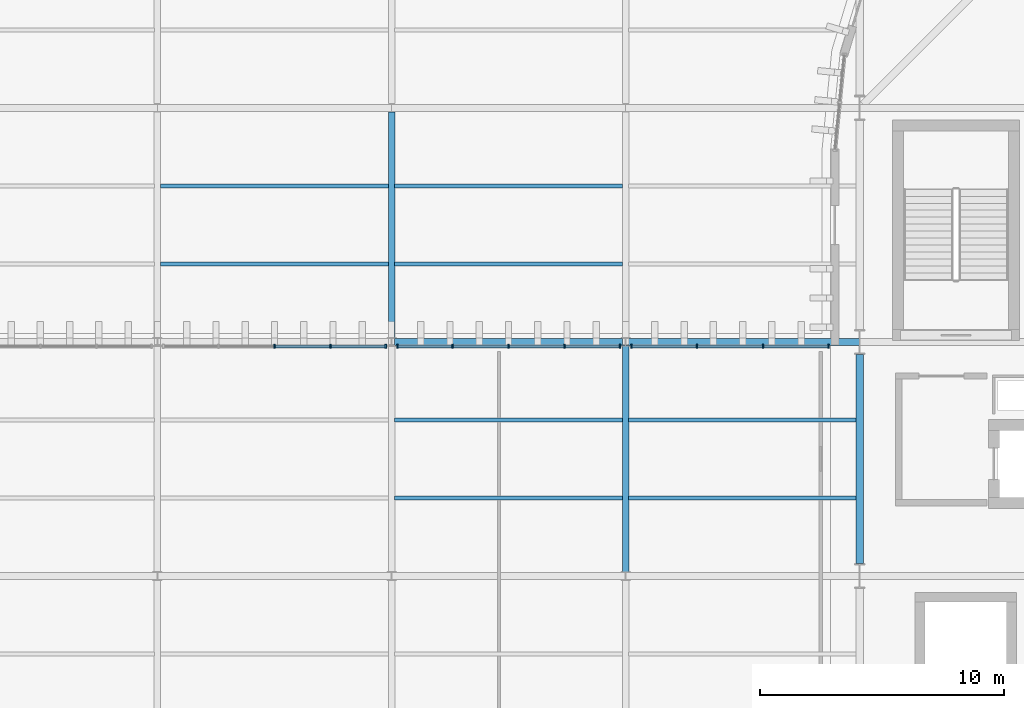
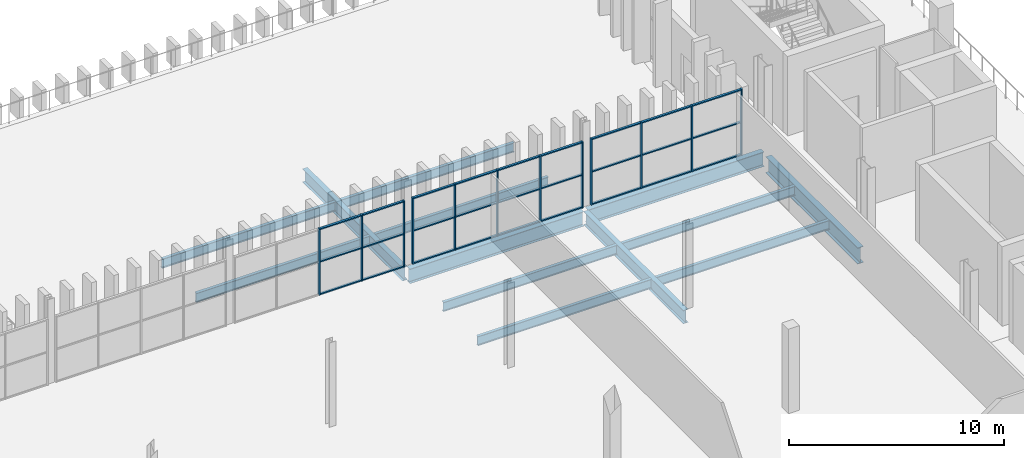
# One storey, part 28 of 99: 39 members, 13 beams, 3 elements without a shape of their own.
"""IFC4 building model written with IfcOpenShell, lengths in metres."""

from ifc_helpers import new_model, si_unit, direction, frame, origin, origin_2d, place, context, subcontext, project, spatial, rectangle, i_section, extrude, material, layer, layer_set, material_profile, profile_set, type_object, element, aggregate, save


model = new_model("IFC4")

# Units and contexts
model_context = context("Model", 3, precision=1e-05, world=origin(), true_north=direction((0.0, 1.0)))
body_context = subcontext(model_context, "Body", "Model", "MODEL_VIEW")
ifc_project = project(units=[si_unit("LENGTHUNIT", "METRE"), si_unit("AREAUNIT", "SQUARE_METRE"), si_unit("VOLUMEUNIT", "CUBIC_METRE"), si_unit("PLANEANGLEUNIT", "RADIAN"), si_unit("MASSUNIT", "GRAM", prefix="KILO")], contexts=[model_context])

# Site, building, storey
site_placement = place(None, origin())
site = spatial("IfcSite", under=ifc_project, at=site_placement, CompositionType="ELEMENT")
building_placement = place(site_placement, origin())
building = spatial("IfcBuilding", under=site, at=building_placement, Name="Caelomonte Colonnade Arena", CompositionType="ELEMENT")
storey_placement = place(building_placement, frame((0.0, 0.0, 4.800048828125)))
storey = spatial("IfcBuildingStorey", under=building, at=storey_placement, Name="L01", CompositionType="ELEMENT", Elevation=4.800048828125)

# Curtain wall, members
ifc_material_1 = material(Name="Bronze anodised aluminium and low-E glazing", Category="aluminium")
ifc_layer_1 = layer(ifc_material_1, 0.179931640625)
ifc_layer_set_1 = layer_set([ifc_layer_1], Name="Bronze anodised aluminium and low-E glazing")
curtain_wall_type_1 = type_object("IfcCurtainWallType", Name="ENV-CW-CW-L01-85-38", PredefinedType="USERDEFINED", material=ifc_layer_set_1)
curtain_wall_1_placement = place(storey_placement, origin())
curtain_wall_1 = element("IfcCurtainWall", 1, at=curtain_wall_1_placement, inside=storey, type_object=curtain_wall_type_1, Name="L01 unitized curtain wall CW-L01-0523-0862", ObjectType="UNITIZED CURTAIN WALL", PredefinedType="USERDEFINED")
ifc_material_2 = material(Name="Bronze anodised aluminium AA6063-T6", Category="aluminium")
ifc_material_profile_1 = material_profile(ifc_material_2, rectangle(XDim=0.06494140625, YDim=0.14990234375, at=origin_2d()), Name="CWM-65X150")
ifc_profile_set_1 = profile_set([ifc_material_profile_1], Name="Bronze anodised aluminium AA6063-T6")
member_type_1 = type_object("IfcMemberType", Name="ENV-CW-MULL2", PredefinedType="MULLION", material=ifc_profile_set_1)
member_1_placement = place(storey_placement, frame((56.327392578125, 86.219970703125, 0.0), z_axis=(0.0, 0.0, 1.0), x_axis=(-1.0, 0.0, 0.0)))
member_1 = element("IfcMember", 2, at=member_1_placement, type_object=member_type_1, Name="CW-L01-85-38 mullion 1", PredefinedType="MULLION", context=body_context, shape_type="SweptSolid", body=[
    extrude(rectangle(XDim=0.06494140625, YDim=0.14990234375, at=origin_2d()), origin(), (0.0, 0.0, 1.0), 3.758056640625),
])
member_2_placement = place(storey_placement, frame((53.641357421875, 86.219970703125, 0.0), z_axis=(0.0, 0.0, 1.0), x_axis=(-1.0, 0.0, 0.0)))
member_2 = element("IfcMember", 3, at=member_2_placement, type_object=member_type_1, Name="CW-L01-85-38 mullion 2", PredefinedType="MULLION", context=body_context, shape_type="SweptSolid", body=[
    extrude(rectangle(XDim=0.06494140625, YDim=0.14990234375, at=origin_2d()), origin(), (0.0, 0.0, 1.0), 3.758056640625),
])
member_3_placement = place(storey_placement, frame((50.9228515625, 86.219970703125, 0.0), z_axis=(0.0, 0.0, 1.0), x_axis=(-1.0, 0.0, 0.0)))
member_3 = element("IfcMember", 4, at=member_3_placement, type_object=member_type_1, Name="CW-L01-85-38 mullion 3", PredefinedType="MULLION", context=body_context, shape_type="SweptSolid", body=[
    extrude(rectangle(XDim=0.06494140625, YDim=0.14990234375, at=origin_2d()), origin(), (0.0, 0.0, 1.0), 3.758056640625),
])
member_4_placement = place(storey_placement, frame((48.23681640625, 86.219970703125, 0.0), z_axis=(0.0, 0.0, 1.0), x_axis=(-1.0, 0.0, 0.0)))
member_4 = element("IfcMember", 5, at=member_4_placement, type_object=member_type_1, Name="CW-L01-85-38 mullion 4", PredefinedType="MULLION", context=body_context, shape_type="SweptSolid", body=[
    extrude(rectangle(XDim=0.06494140625, YDim=0.14990234375, at=origin_2d()), origin(), (0.0, 0.0, 1.0), 3.758056640625),
])

ifc_layer_2 = layer(ifc_material_1, 0.179931640625)
ifc_layer_set_2 = layer_set([ifc_layer_2], Name="Bronze anodised aluminium and low-E glazing")
curtain_wall_type_2 = type_object("IfcCurtainWallType", Name="ENV-CW-CW-L01-96-38", PredefinedType="USERDEFINED", material=ifc_layer_set_2)
curtain_wall_2_placement = place(storey_placement, origin())
curtain_wall_2 = element("IfcCurtainWall", 6, at=curtain_wall_2_placement, inside=storey, type_object=curtain_wall_type_2, Name="L01 unitized curtain wall CW-L01-0432-0862", ObjectType="UNITIZED CURTAIN WALL", PredefinedType="USERDEFINED")
member_5_placement = place(storey_placement, frame((47.76318359375, 86.219970703125, 0.0), z_axis=(0.0, 0.0, 1.0), x_axis=(-1.0, 0.0, 0.0)))
member_5 = element("IfcMember", 7, at=member_5_placement, type_object=member_type_1, Name="CW-L01-96-38 mullion 1", PredefinedType="MULLION", context=body_context, shape_type="SweptSolid", body=[
    extrude(rectangle(XDim=0.06494140625, YDim=0.14990234375, at=origin_2d()), origin(), (0.0, 0.0, 1.0), 3.758056640625),
])
member_6_placement = place(storey_placement, frame((45.497802734375, 86.219970703125, 0.0), z_axis=(0.0, 0.0, 1.0), x_axis=(-1.0, 0.0, 0.0)))
member_6 = element("IfcMember", 8, at=member_6_placement, type_object=member_type_1, Name="CW-L01-96-38 mullion 2", PredefinedType="MULLION", context=body_context, shape_type="SweptSolid", body=[
    extrude(rectangle(XDim=0.06494140625, YDim=0.14990234375, at=origin_2d()), origin(), (0.0, 0.0, 1.0), 3.758056640625),
])
member_7_placement = place(storey_placement, frame((43.199951171875, 86.219970703125, 0.0), z_axis=(0.0, 0.0, 1.0), x_axis=(-1.0, 0.0, 0.0)))
member_7 = element("IfcMember", 9, at=member_7_placement, type_object=member_type_1, Name="CW-L01-96-38 mullion 3", PredefinedType="MULLION", context=body_context, shape_type="SweptSolid", body=[
    extrude(rectangle(XDim=0.06494140625, YDim=0.14990234375, at=origin_2d()), origin(), (0.0, 0.0, 1.0), 3.758056640625),
])
member_8_placement = place(storey_placement, frame((40.902099609375, 86.219970703125, 0.0), z_axis=(0.0, 0.0, 1.0), x_axis=(-1.0, 0.0, 0.0)))
member_8 = element("IfcMember", 10, at=member_8_placement, type_object=member_type_1, Name="CW-L01-96-38 mullion 4", PredefinedType="MULLION", context=body_context, shape_type="SweptSolid", body=[
    extrude(rectangle(XDim=0.06494140625, YDim=0.14990234375, at=origin_2d()), origin(), (0.0, 0.0, 1.0), 3.758056640625),
])
member_9_placement = place(storey_placement, frame((38.636962890625, 86.219970703125, 0.0), z_axis=(0.0, 0.0, 1.0), x_axis=(-1.0, 0.0, 0.0)))
member_9 = element("IfcMember", 11, at=member_9_placement, type_object=member_type_1, Name="CW-L01-96-38 mullion 5", PredefinedType="MULLION", context=body_context, shape_type="SweptSolid", body=[
    extrude(rectangle(XDim=0.06494140625, YDim=0.14990234375, at=origin_2d()), origin(), (0.0, 0.0, 1.0), 3.758056640625),
])

curtain_wall_3_placement = place(storey_placement, origin())
curtain_wall_3 = element("IfcCurtainWall", 12, at=curtain_wall_3_placement, inside=storey, type_object=curtain_wall_type_2, Name="L01 unitized curtain wall CW-L01-0336-0862", ObjectType="UNITIZED CURTAIN WALL", PredefinedType="USERDEFINED")
member_10_placement = place(storey_placement, frame((38.1630859375, 86.219970703125, 0.0), z_axis=(0.0, 0.0, 1.0), x_axis=(-1.0, 0.0, 0.0)))
member_10 = element("IfcMember", 13, at=member_10_placement, type_object=member_type_1, Name="CW-L01-96-38 mullion 1", PredefinedType="MULLION", context=body_context, shape_type="SweptSolid", body=[
    extrude(rectangle(XDim=0.06494140625, YDim=0.14990234375, at=origin_2d()), origin(), (0.0, 0.0, 1.0), 3.758056640625),
])
member_11_placement = place(storey_placement, frame((35.897705078125, 86.219970703125, 0.0), z_axis=(0.0, 0.0, 1.0), x_axis=(-1.0, 0.0, 0.0)))
member_11 = element("IfcMember", 14, at=member_11_placement, type_object=member_type_1, Name="CW-L01-96-38 mullion 2", PredefinedType="MULLION", context=body_context, shape_type="SweptSolid", body=[
    extrude(rectangle(XDim=0.06494140625, YDim=0.14990234375, at=origin_2d()), origin(), (0.0, 0.0, 1.0), 3.758056640625),
])
member_12_placement = place(storey_placement, frame((33.60009765625, 86.219970703125, 0.0), z_axis=(0.0, 0.0, 1.0), x_axis=(-1.0, 0.0, 0.0)))
member_12 = element("IfcMember", 15, at=member_12_placement, type_object=member_type_1, Name="CW-L01-96-38 mullion 3", PredefinedType="MULLION", context=body_context, shape_type="SweptSolid", body=[
    extrude(rectangle(XDim=0.06494140625, YDim=0.14990234375, at=origin_2d()), origin(), (0.0, 0.0, 1.0), 3.758056640625),
])

# Member
ifc_material_profile_2 = material_profile(ifc_material_2, rectangle(XDim=0.06494140625, YDim=0.1201171875, at=origin_2d()), Name="CWT-65X120")
ifc_profile_set_2 = profile_set([ifc_material_profile_2], Name="Bronze anodised aluminium AA6063-T6")
member_type_2 = type_object("IfcMemberType", Name="ENV-CW-TRAN2", PredefinedType="USERDEFINED", material=ifc_profile_set_2)
member_13_placement = place(storey_placement, frame((56.294921875, 86.219970703125, 0.032470703125), z_axis=(-1.0, 0.0, 0.0), x_axis=(0.0, 0.0, 1.0)))
member_13 = element("IfcMember", 16, at=member_13_placement, type_object=member_type_2, Name="CW-L01-85-38 transom 1.1", ObjectType="TRANSOM", PredefinedType="USERDEFINED", context=body_context, shape_type="SweptSolid", body=[
    extrude(rectangle(XDim=0.06494140625, YDim=0.1201171875, at=origin_2d()), origin(), (0.0, 0.0, 1.0), 2.620849609375),
])

member_14_placement = place(storey_placement, frame((56.294921875, 86.219970703125, 1.87890625), z_axis=(-1.0, 0.0, 0.0), x_axis=(0.0, 0.0, 1.0)))
member_14 = element("IfcMember", 17, at=member_14_placement, type_object=member_type_2, Name="CW-L01-85-38 transom 1.2", ObjectType="TRANSOM", PredefinedType="USERDEFINED", context=body_context, shape_type="SweptSolid", body=[
    extrude(rectangle(XDim=0.06494140625, YDim=0.1201171875, at=origin_2d()), origin(), (0.0, 0.0, 1.0), 2.620849609375),
])

member_15_placement = place(storey_placement, frame((56.294921875, 86.219970703125, 3.725341796875), z_axis=(-1.0, 0.0, 0.0), x_axis=(0.0, 0.0, 1.0)))
member_15 = element("IfcMember", 18, at=member_15_placement, type_object=member_type_2, Name="CW-L01-85-38 transom 1.3", ObjectType="TRANSOM", PredefinedType="USERDEFINED", context=body_context, shape_type="SweptSolid", body=[
    extrude(rectangle(XDim=0.06494140625, YDim=0.1201171875, at=origin_2d()), origin(), (0.0, 0.0, 1.0), 2.620849609375),
])

member_16_placement = place(storey_placement, frame((53.60888671875, 86.219970703125, 0.032470703125), z_axis=(-1.0, 0.0, 0.0), x_axis=(0.0, 0.0, 1.0)))
member_16 = element("IfcMember", 19, at=member_16_placement, type_object=member_type_2, Name="CW-L01-85-38 transom 2.1", ObjectType="TRANSOM", PredefinedType="USERDEFINED", context=body_context, shape_type="SweptSolid", body=[
    extrude(rectangle(XDim=0.06494140625, YDim=0.1201171875, at=origin_2d()), origin(), (0.0, 0.0, 1.0), 2.653564453125),
])

member_17_placement = place(storey_placement, frame((53.60888671875, 86.219970703125, 1.87890625), z_axis=(-1.0, 0.0, 0.0), x_axis=(0.0, 0.0, 1.0)))
member_17 = element("IfcMember", 20, at=member_17_placement, type_object=member_type_2, Name="CW-L01-85-38 transom 2.2", ObjectType="TRANSOM", PredefinedType="USERDEFINED", context=body_context, shape_type="SweptSolid", body=[
    extrude(rectangle(XDim=0.06494140625, YDim=0.1201171875, at=origin_2d()), origin(), (0.0, 0.0, 1.0), 2.653564453125),
])

member_18_placement = place(storey_placement, frame((53.60888671875, 86.219970703125, 3.725341796875), z_axis=(-1.0, 0.0, 0.0), x_axis=(0.0, 0.0, 1.0)))
member_18 = element("IfcMember", 21, at=member_18_placement, type_object=member_type_2, Name="CW-L01-85-38 transom 2.3", ObjectType="TRANSOM", PredefinedType="USERDEFINED", context=body_context, shape_type="SweptSolid", body=[
    extrude(rectangle(XDim=0.06494140625, YDim=0.1201171875, at=origin_2d()), origin(), (0.0, 0.0, 1.0), 2.653564453125),
])

member_19_placement = place(storey_placement, frame((50.890380859375, 86.219970703125, 0.032470703125), z_axis=(-1.0, 0.0, 0.0), x_axis=(0.0, 0.0, 1.0)))
member_19 = element("IfcMember", 22, at=member_19_placement, type_object=member_type_2, Name="CW-L01-85-38 transom 3.1", ObjectType="TRANSOM", PredefinedType="USERDEFINED", context=body_context, shape_type="SweptSolid", body=[
    extrude(rectangle(XDim=0.06494140625, YDim=0.1201171875, at=origin_2d()), origin(), (0.0, 0.0, 1.0), 2.62109375),
])

member_20_placement = place(storey_placement, frame((50.890380859375, 86.219970703125, 1.87890625), z_axis=(-1.0, 0.0, 0.0), x_axis=(0.0, 0.0, 1.0)))
member_20 = element("IfcMember", 23, at=member_20_placement, type_object=member_type_2, Name="CW-L01-85-38 transom 3.2", ObjectType="TRANSOM", PredefinedType="USERDEFINED", context=body_context, shape_type="SweptSolid", body=[
    extrude(rectangle(XDim=0.06494140625, YDim=0.1201171875, at=origin_2d()), origin(), (0.0, 0.0, 1.0), 2.62109375),
])

member_21_placement = place(storey_placement, frame((50.890380859375, 86.219970703125, 3.725341796875), z_axis=(-1.0, 0.0, 0.0), x_axis=(0.0, 0.0, 1.0)))
member_21 = element("IfcMember", 24, at=member_21_placement, type_object=member_type_2, Name="CW-L01-85-38 transom 3.3", ObjectType="TRANSOM", PredefinedType="USERDEFINED", context=body_context, shape_type="SweptSolid", body=[
    extrude(rectangle(XDim=0.06494140625, YDim=0.1201171875, at=origin_2d()), origin(), (0.0, 0.0, 1.0), 2.62109375),
])

aggregate(curtain_wall_1, [member_1, member_2, member_3, member_4, member_13, member_14, member_15, member_16, member_17, member_18, member_19, member_20, member_21])

member_22_placement = place(storey_placement, frame((47.730712890625, 86.219970703125, 0.032470703125), z_axis=(-1.0, 0.0, 0.0), x_axis=(0.0, 0.0, 1.0)))
member_22 = element("IfcMember", 25, at=member_22_placement, type_object=member_type_2, Name="CW-L01-96-38 transom 1.1", ObjectType="TRANSOM", PredefinedType="USERDEFINED", context=body_context, shape_type="SweptSolid", body=[
    extrude(rectangle(XDim=0.06494140625, YDim=0.1201171875, at=origin_2d()), origin(), (0.0, 0.0, 1.0), 2.200439453125),
])

member_23_placement = place(storey_placement, frame((47.730712890625, 86.219970703125, 1.87890625), z_axis=(-1.0, 0.0, 0.0), x_axis=(0.0, 0.0, 1.0)))
member_23 = element("IfcMember", 26, at=member_23_placement, type_object=member_type_2, Name="CW-L01-96-38 transom 1.2", ObjectType="TRANSOM", PredefinedType="USERDEFINED", context=body_context, shape_type="SweptSolid", body=[
    extrude(rectangle(XDim=0.06494140625, YDim=0.1201171875, at=origin_2d()), origin(), (0.0, 0.0, 1.0), 2.200439453125),
])

member_24_placement = place(storey_placement, frame((47.730712890625, 86.219970703125, 3.725341796875), z_axis=(-1.0, 0.0, 0.0), x_axis=(0.0, 0.0, 1.0)))
member_24 = element("IfcMember", 27, at=member_24_placement, type_object=member_type_2, Name="CW-L01-96-38 transom 1.3", ObjectType="TRANSOM", PredefinedType="USERDEFINED", context=body_context, shape_type="SweptSolid", body=[
    extrude(rectangle(XDim=0.06494140625, YDim=0.1201171875, at=origin_2d()), origin(), (0.0, 0.0, 1.0), 2.200439453125),
])

member_25_placement = place(storey_placement, frame((45.46533203125, 86.219970703125, 0.032470703125), z_axis=(-1.0, 0.0, 0.0), x_axis=(0.0, 0.0, 1.0)))
member_25 = element("IfcMember", 28, at=member_25_placement, type_object=member_type_2, Name="CW-L01-96-38 transom 2.1", ObjectType="TRANSOM", PredefinedType="USERDEFINED", context=body_context, shape_type="SweptSolid", body=[
    extrude(rectangle(XDim=0.06494140625, YDim=0.1201171875, at=origin_2d()), origin(), (0.0, 0.0, 1.0), 2.23291015625),
])

member_26_placement = place(storey_placement, frame((45.46533203125, 86.219970703125, 1.87890625), z_axis=(-1.0, 0.0, 0.0), x_axis=(0.0, 0.0, 1.0)))
member_26 = element("IfcMember", 29, at=member_26_placement, type_object=member_type_2, Name="CW-L01-96-38 transom 2.2", ObjectType="TRANSOM", PredefinedType="USERDEFINED", context=body_context, shape_type="SweptSolid", body=[
    extrude(rectangle(XDim=0.06494140625, YDim=0.1201171875, at=origin_2d()), origin(), (0.0, 0.0, 1.0), 2.23291015625),
])

member_27_placement = place(storey_placement, frame((45.46533203125, 86.219970703125, 3.725341796875), z_axis=(-1.0, 0.0, 0.0), x_axis=(0.0, 0.0, 1.0)))
member_27 = element("IfcMember", 30, at=member_27_placement, type_object=member_type_2, Name="CW-L01-96-38 transom 2.3", ObjectType="TRANSOM", PredefinedType="USERDEFINED", context=body_context, shape_type="SweptSolid", body=[
    extrude(rectangle(XDim=0.06494140625, YDim=0.1201171875, at=origin_2d()), origin(), (0.0, 0.0, 1.0), 2.23291015625),
])

member_28_placement = place(storey_placement, frame((43.16748046875, 86.219970703125, 0.032470703125), z_axis=(-1.0, 0.0, 0.0), x_axis=(0.0, 0.0, 1.0)))
member_28 = element("IfcMember", 31, at=member_28_placement, type_object=member_type_2, Name="CW-L01-96-38 transom 3.1", ObjectType="TRANSOM", PredefinedType="USERDEFINED", context=body_context, shape_type="SweptSolid", body=[
    extrude(rectangle(XDim=0.06494140625, YDim=0.1201171875, at=origin_2d()), origin(), (0.0, 0.0, 1.0), 2.232666015625),
])

member_29_placement = place(storey_placement, frame((43.16748046875, 86.219970703125, 1.87890625), z_axis=(-1.0, 0.0, 0.0), x_axis=(0.0, 0.0, 1.0)))
member_29 = element("IfcMember", 32, at=member_29_placement, type_object=member_type_2, Name="CW-L01-96-38 transom 3.2", ObjectType="TRANSOM", PredefinedType="USERDEFINED", context=body_context, shape_type="SweptSolid", body=[
    extrude(rectangle(XDim=0.06494140625, YDim=0.1201171875, at=origin_2d()), origin(), (0.0, 0.0, 1.0), 2.232666015625),
])

member_30_placement = place(storey_placement, frame((43.16748046875, 86.219970703125, 3.725341796875), z_axis=(-1.0, 0.0, 0.0), x_axis=(0.0, 0.0, 1.0)))
member_30 = element("IfcMember", 33, at=member_30_placement, type_object=member_type_2, Name="CW-L01-96-38 transom 3.3", ObjectType="TRANSOM", PredefinedType="USERDEFINED", context=body_context, shape_type="SweptSolid", body=[
    extrude(rectangle(XDim=0.06494140625, YDim=0.1201171875, at=origin_2d()), origin(), (0.0, 0.0, 1.0), 2.232666015625),
])

member_31_placement = place(storey_placement, frame((40.86962890625, 86.219970703125, 0.032470703125), z_axis=(-1.0, 0.0, 0.0), x_axis=(0.0, 0.0, 1.0)))
member_31 = element("IfcMember", 34, at=member_31_placement, type_object=member_type_2, Name="CW-L01-96-38 transom 4.1", ObjectType="TRANSOM", PredefinedType="USERDEFINED", context=body_context, shape_type="SweptSolid", body=[
    extrude(rectangle(XDim=0.06494140625, YDim=0.1201171875, at=origin_2d()), origin(), (0.0, 0.0, 1.0), 2.2001953125),
])

member_32_placement = place(storey_placement, frame((40.86962890625, 86.219970703125, 1.87890625), z_axis=(-1.0, 0.0, 0.0), x_axis=(0.0, 0.0, 1.0)))
member_32 = element("IfcMember", 35, at=member_32_placement, type_object=member_type_2, Name="CW-L01-96-38 transom 4.2", ObjectType="TRANSOM", PredefinedType="USERDEFINED", context=body_context, shape_type="SweptSolid", body=[
    extrude(rectangle(XDim=0.06494140625, YDim=0.1201171875, at=origin_2d()), origin(), (0.0, 0.0, 1.0), 2.2001953125),
])

member_33_placement = place(storey_placement, frame((40.86962890625, 86.219970703125, 3.725341796875), z_axis=(-1.0, 0.0, 0.0), x_axis=(0.0, 0.0, 1.0)))
member_33 = element("IfcMember", 36, at=member_33_placement, type_object=member_type_2, Name="CW-L01-96-38 transom 4.3", ObjectType="TRANSOM", PredefinedType="USERDEFINED", context=body_context, shape_type="SweptSolid", body=[
    extrude(rectangle(XDim=0.06494140625, YDim=0.1201171875, at=origin_2d()), origin(), (0.0, 0.0, 1.0), 2.2001953125),
])

aggregate(curtain_wall_2, [member_5, member_6, member_7, member_8, member_9, member_22, member_23, member_24, member_25, member_26, member_27, member_28, member_29, member_30, member_31, member_32, member_33])

member_34_placement = place(storey_placement, frame((38.130615234375, 86.219970703125, 0.032470703125), z_axis=(-1.0, 0.0, 0.0), x_axis=(0.0, 0.0, 1.0)))
member_34 = element("IfcMember", 37, at=member_34_placement, type_object=member_type_2, Name="CW-L01-96-38 transom 1.1", ObjectType="TRANSOM", PredefinedType="USERDEFINED", context=body_context, shape_type="SweptSolid", body=[
    extrude(rectangle(XDim=0.06494140625, YDim=0.1201171875, at=origin_2d()), origin(), (0.0, 0.0, 1.0), 2.2001953125),
])

member_35_placement = place(storey_placement, frame((38.130615234375, 86.219970703125, 1.87890625), z_axis=(-1.0, 0.0, 0.0), x_axis=(0.0, 0.0, 1.0)))
member_35 = element("IfcMember", 38, at=member_35_placement, type_object=member_type_2, Name="CW-L01-96-38 transom 1.2", ObjectType="TRANSOM", PredefinedType="USERDEFINED", context=body_context, shape_type="SweptSolid", body=[
    extrude(rectangle(XDim=0.06494140625, YDim=0.1201171875, at=origin_2d()), origin(), (0.0, 0.0, 1.0), 2.2001953125),
])

member_36_placement = place(storey_placement, frame((38.130615234375, 86.219970703125, 3.725341796875), z_axis=(-1.0, 0.0, 0.0), x_axis=(0.0, 0.0, 1.0)))
member_36 = element("IfcMember", 39, at=member_36_placement, type_object=member_type_2, Name="CW-L01-96-38 transom 1.3", ObjectType="TRANSOM", PredefinedType="USERDEFINED", context=body_context, shape_type="SweptSolid", body=[
    extrude(rectangle(XDim=0.06494140625, YDim=0.1201171875, at=origin_2d()), origin(), (0.0, 0.0, 1.0), 2.2001953125),
])

member_37_placement = place(storey_placement, frame((35.865234375, 86.219970703125, 0.032470703125), z_axis=(-1.0, 0.0, 0.0), x_axis=(0.0, 0.0, 1.0)))
member_37 = element("IfcMember", 40, at=member_37_placement, type_object=member_type_2, Name="CW-L01-96-38 transom 2.1", ObjectType="TRANSOM", PredefinedType="USERDEFINED", context=body_context, shape_type="SweptSolid", body=[
    extrude(rectangle(XDim=0.06494140625, YDim=0.1201171875, at=origin_2d()), origin(), (0.0, 0.0, 1.0), 2.232666015625),
])

member_38_placement = place(storey_placement, frame((35.865234375, 86.219970703125, 1.87890625), z_axis=(-1.0, 0.0, 0.0), x_axis=(0.0, 0.0, 1.0)))
member_38 = element("IfcMember", 41, at=member_38_placement, type_object=member_type_2, Name="CW-L01-96-38 transom 2.2", ObjectType="TRANSOM", PredefinedType="USERDEFINED", context=body_context, shape_type="SweptSolid", body=[
    extrude(rectangle(XDim=0.06494140625, YDim=0.1201171875, at=origin_2d()), origin(), (0.0, 0.0, 1.0), 2.232666015625),
])

member_39_placement = place(storey_placement, frame((35.865234375, 86.219970703125, 3.725341796875), z_axis=(-1.0, 0.0, 0.0), x_axis=(0.0, 0.0, 1.0)))
member_39 = element("IfcMember", 42, at=member_39_placement, type_object=member_type_2, Name="CW-L01-96-38 transom 2.3", ObjectType="TRANSOM", PredefinedType="USERDEFINED", context=body_context, shape_type="SweptSolid", body=[
    extrude(rectangle(XDim=0.06494140625, YDim=0.1201171875, at=origin_2d()), origin(), (0.0, 0.0, 1.0), 2.232666015625),
])

aggregate(curtain_wall_3, [member_10, member_11, member_12, member_34, member_35, member_36, member_37, member_38, member_39])

# Beams
ifc_material_3 = material(Name="Wide-flange steel ASTM A992 Grade 50", Category="steel")
ifc_material_profile_3 = material_profile(ifc_material_3, i_section(OverallWidth=0.307861328125, OverallDepth=0.927001953125, WebThickness=0.019287109375, FlangeThickness=0.031982421875, FilletRadius=0.020263671875, at=origin_2d()), Name="W36X194")
ifc_profile_set_3 = profile_set([ifc_material_profile_3], Name="Wide-flange steel ASTM A992 Grade 50")
beam_type_1 = type_object("IfcBeamType", Name="STR-BM-EAVES2", PredefinedType="SPANDREL", material=ifc_profile_set_3)
beam_1_placement = place(storey_placement, frame((57.60009765625, 77.312744140625, -0.763427734375), z_axis=(0.0, 1.0, 0.0), x_axis=(-1.0, 0.0, 0.0)))
element("IfcBeam", 43, at=beam_1_placement, inside=storey, type_object=beam_type_1, Name="L01 girder BMY-L01-0576-0768", PredefinedType="SPANDREL", context=body_context, shape_type="SweptSolid", body=[
    extrude(i_section(OverallWidth=0.307861328125, OverallDepth=0.927001953125, WebThickness=0.019287109375, FlangeThickness=0.031982421875, FilletRadius=0.020263671875, at=origin_2d()), origin(), (0.0, 0.0, 1.0), 8.574462890625),
])
ifc_material_profile_4 = material_profile(ifc_material_3, i_section(OverallWidth=0.2666015625, OverallDepth=0.761962890625, WebThickness=0.014404296875, FlangeThickness=0.021484375, FilletRadius=0.0166015625, at=origin_2d()), Name="W30X116")
ifc_profile_set_4 = profile_set([ifc_material_profile_4], Name="Wide-flange steel ASTM A992 Grade 50")
beam_type_2 = type_object("IfcBeamType", Name="STR-BM-GIRD30", PredefinedType="BEAM", material=ifc_profile_set_4)
for number, where, z_axis, x_axis, name in (
    (44, (38.39990234375, 86.51904296875, -0.68115234375), (0.0, 1.0, 0.0), (-1.0, 0.0, 0.0), "L01 girder BMY-L01-0384-0864"),
    (45, (48.0, 76.97021484375, -0.68115234375), (0.0, 1.0, 0.0), (-1.0, 0.0, 0.0), "L01 girder BMY-L01-0480-0768"),
):
    element("IfcBeam", number, at=place(storey_placement, frame(where, z_axis=z_axis, x_axis=x_axis)), inside=storey, type_object=beam_type_2, Name=name, PredefinedType="BEAM", context=body_context, shape_type="SweptSolid", body=[
        extrude(i_section(OverallWidth=0.2666015625, OverallDepth=0.761962890625, WebThickness=0.014404296875, FlangeThickness=0.021484375, FilletRadius=0.0166015625, at=origin_2d()), origin(), (0.0, 0.0, 1.0), 9.310791015625),
    ])
ifc_material_profile_5 = material_profile(ifc_material_3, i_section(OverallWidth=0.2919921875, OverallDepth=0.835693359375, WebThickness=0.013916015625, FlangeThickness=0.018798828125, FilletRadius=0.017822265625, at=origin_2d()), Name="W33X118")
ifc_profile_set_5 = profile_set([ifc_material_profile_5], Name="Wide-flange steel ASTM A992 Grade 50")
beam_type_3 = type_object("IfcBeamType", Name="STR-BM-GIRD33B", PredefinedType="BEAM", material=ifc_profile_set_5)
beam_2_placement = place(storey_placement, frame((38.51904296875, 86.39990234375, -0.7177734375), z_axis=(1.0, 0.0, 0.0), x_axis=(0.0, 1.0, 0.0)))
element("IfcBeam", 46, at=beam_2_placement, inside=storey, type_object=beam_type_3, Name="L01 girder BMX-L01-0384-0864", PredefinedType="BEAM", context=body_context, shape_type="SweptSolid", body=[
    extrude(i_section(OverallWidth=0.2919921875, OverallDepth=0.835693359375, WebThickness=0.013916015625, FlangeThickness=0.018798828125, FilletRadius=0.017822265625, at=origin_2d()), origin(), (0.0, 0.0, 1.0), 9.362060546875),
])
beam_3_placement = place(storey_placement, frame((48.118896484375, 86.39990234375, -0.7177734375), z_axis=(1.0, 0.0, 0.0), x_axis=(0.0, 1.0, 0.0)))
element("IfcBeam", 47, at=beam_3_placement, inside=storey, type_object=beam_type_3, Name="L01 girder BMX-L01-0480-0864", PredefinedType="BEAM", context=body_context, shape_type="SweptSolid", body=[
    extrude(i_section(OverallWidth=0.2919921875, OverallDepth=0.835693359375, WebThickness=0.013916015625, FlangeThickness=0.018798828125, FilletRadius=0.017822265625, at=origin_2d()), origin(), (0.0, 0.0, 1.0), 9.465576171875),
])
ifc_material_profile_6 = material_profile(ifc_material_3, i_section(OverallWidth=0.166015625, OverallDepth=0.5283203125, WebThickness=0.009765625, FlangeThickness=0.013671875, FilletRadius=0.0126953125, at=origin_2d()), Name="W21X50")
ifc_profile_set_6 = profile_set([ifc_material_profile_6], Name="Wide-flange steel ASTM A992 Grade 50")
beam_type_4 = type_object("IfcBeamType", Name="STR-BM-JOIST21B", PredefinedType="JOIST", material=ifc_profile_set_6)
for number, where, z_axis, x_axis, name in (
    (48, (28.928466796875, 89.60009765625, -0.564208984375), (1.0, 0.0, 0.0), (0.0, 1.0, 0.0), "L01 secondary joist 1"),
    (49, (28.928466796875, 92.800048828125, -0.564208984375), (1.0, 0.0, 0.0), (0.0, 1.0, 0.0), "L01 secondary joist 2"),
    (50, (38.5283203125, 80.0, -0.564208984375), (1.0, 0.0, 0.0), (0.0, 1.0, 0.0), "L01 secondary joist 1"),
    (51, (38.5283203125, 83.199951171875, -0.564208984375), (1.0, 0.0, 0.0), (0.0, 1.0, 0.0), "L01 secondary joist 2"),
    (52, (38.5283203125, 89.60009765625, -0.564208984375), (1.0, 0.0, 0.0), (0.0, 1.0, 0.0), "L01 secondary joist 1"),
    (53, (38.5283203125, 92.800048828125, -0.564208984375), (1.0, 0.0, 0.0), (0.0, 1.0, 0.0), "L01 secondary joist 2"),
):
    element("IfcBeam", number, at=place(storey_placement, frame(where, z_axis=z_axis, x_axis=x_axis)), inside=storey, type_object=beam_type_4, Name=name, PredefinedType="JOIST", context=body_context, shape_type="SweptSolid", body=[
        extrude(i_section(OverallWidth=0.166015625, OverallDepth=0.5283203125, WebThickness=0.009765625, FlangeThickness=0.013671875, FilletRadius=0.0126953125, at=origin_2d()), origin(), (0.0, 0.0, 1.0), 9.34326171875),
    ])
for number, where, z_axis, x_axis, name in (
    (54, (48.12841796875, 80.0, -0.564208984375), (1.0, 0.0, 0.0), (0.0, 1.0, 0.0), "L01 secondary joist 1"),
    (55, (48.12841796875, 83.199951171875, -0.564208984375), (1.0, 0.0, 0.0), (0.0, 1.0, 0.0), "L01 secondary joist 2"),
):
    element("IfcBeam", number, at=place(storey_placement, frame(where, z_axis=z_axis, x_axis=x_axis)), inside=storey, type_object=beam_type_4, Name=name, PredefinedType="JOIST", context=body_context, shape_type="SweptSolid", body=[
        extrude(i_section(OverallWidth=0.166015625, OverallDepth=0.5283203125, WebThickness=0.009765625, FlangeThickness=0.013671875, FilletRadius=0.0126953125, at=origin_2d()), origin(), (0.0, 0.0, 1.0), 9.32275390625),
    ])

save(model, "model.ifc")
